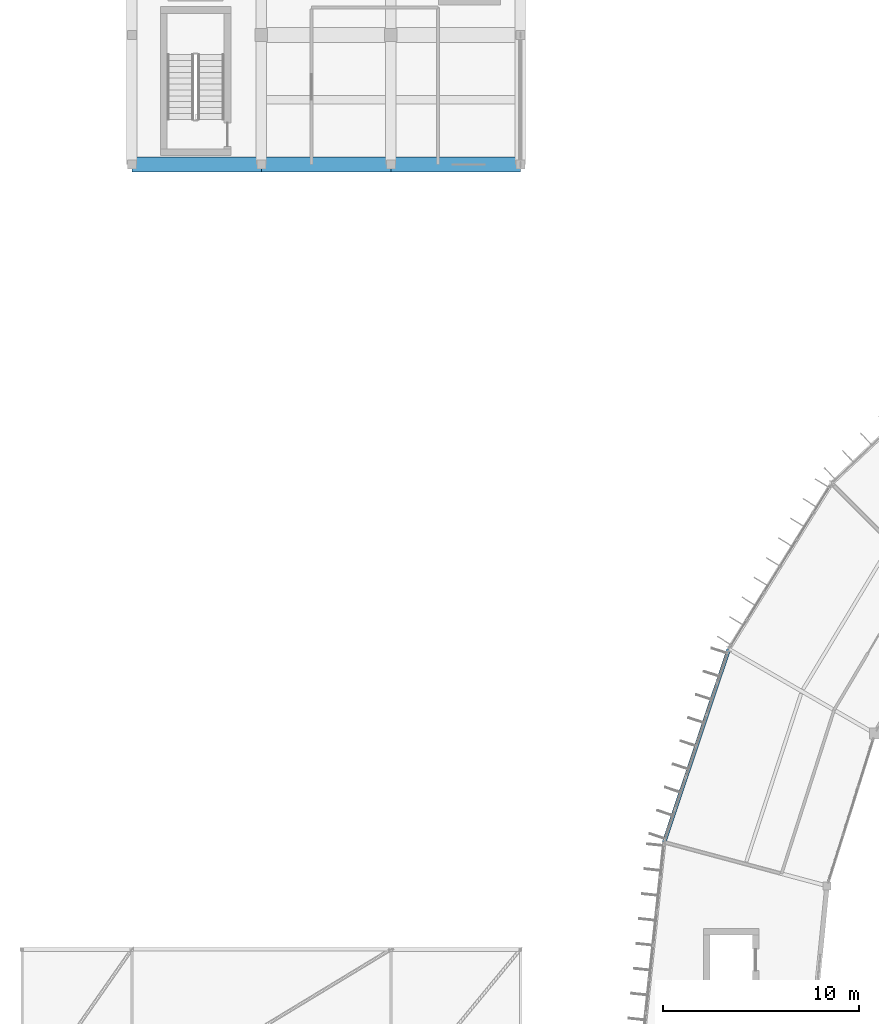
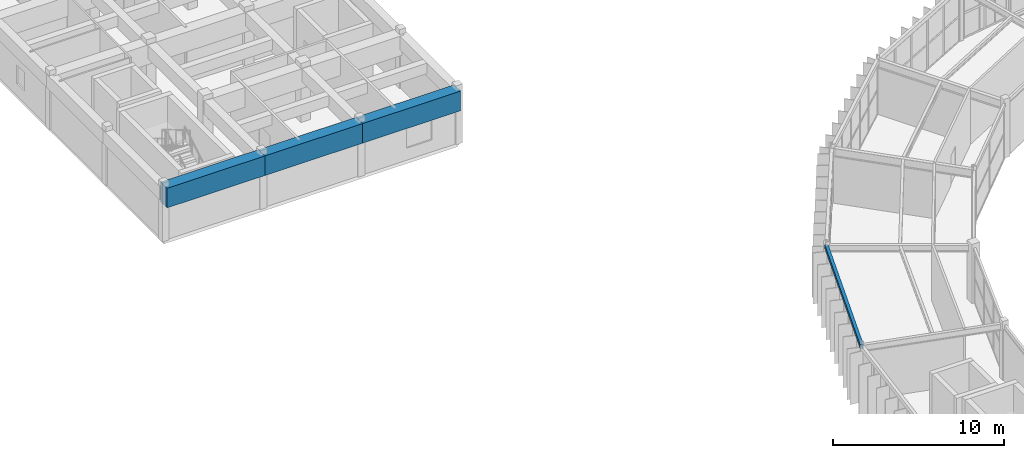
# One storey, part 65 of 134: 4 beams.
"""IFC4 building model written with IfcOpenShell, lengths in metres."""

from ifc_helpers import new_model, si_unit, direction, frame, origin, origin_2d, place, context, subcontext, project, spatial, rectangle, hollow_rectangle, extrude, material, material_profile, profile_set, type_object, element, save


model = new_model("IFC4")

# Units and contexts
model_context = context("Model", 3, precision=1e-05, world=origin(), true_north=direction((0.0, 1.0)))
body_context = subcontext(model_context, "Body", "Model", "MODEL_VIEW")
ifc_project = project(units=[si_unit("LENGTHUNIT", "METRE"), si_unit("AREAUNIT", "SQUARE_METRE"), si_unit("VOLUMEUNIT", "CUBIC_METRE"), si_unit("PLANEANGLEUNIT", "RADIAN"), si_unit("MASSUNIT", "GRAM", prefix="KILO")], contexts=[model_context])

# Site, building, storey
site_placement = place(None, origin())
site = spatial("IfcSite", under=ifc_project, at=site_placement, CompositionType="ELEMENT")
building_placement = place(site_placement, origin())
building = spatial("IfcBuilding", under=site, at=building_placement, Name="Karori Crest Natural Sciences Institute", CompositionType="ELEMENT")
storey_placement = place(building_placement, frame((0.0, 0.0, 21.699951171875)))
storey = spatial("IfcBuildingStorey", under=building, at=storey_placement, Name="L05", CompositionType="ELEMENT", Elevation=21.699951171875)

# Beams
ifc_material_1 = material(Name="Hollow structural steel AS/NZS 1163 Grade C350", Category="steel")
ifc_material_profile_1 = material_profile(ifc_material_1, hollow_rectangle(XDim=0.199951171875, YDim=0.300048828125, WallThickness=0.010009765625, at=origin_2d()), Name="RHS300x200x10")
ifc_profile_set_1 = profile_set([ifc_material_profile_1], Name="Hollow structural steel AS/NZS 1163 Grade C350")
beam_type_1 = type_object("IfcBeamType", Name="BT-15", PredefinedType="SPANDREL", material=ifc_profile_set_1)
beam_1_placement = place(storey_placement, frame((37.8212890625, 70.300048828125, 3.7900390625), z_axis=(-0.317681238028, -0.948197569605, 0.0), x_axis=(0.948197569605, -0.317681238028, 0.0)))
element("IfcBeam", 1, at=beam_1_placement, inside=storey, type_object=beam_type_1, Name="Beam B-0579", PredefinedType="SPANDREL", context=body_context, shape_type="SweptSolid", body=[
    extrude(hollow_rectangle(XDim=0.199951171875, YDim=0.300048828125, WallThickness=0.010009765625, at=origin_2d()), origin(), (0.0, 0.0, 1.0), 10.3779296875),
])
ifc_material_2 = material(Name="Concrete 50 MPa", Category="concrete")
ifc_material_profile_2 = material_profile(ifc_material_2, rectangle(XDim=0.75, YDim=1.39990234375, at=origin_2d()), Name="RCB750x1400")
ifc_profile_set_2 = profile_set([ifc_material_profile_2], Name="Concrete 50 MPa")
beam_type_2 = type_object("IfcBeamType", Name="BT-17", PredefinedType="BEAM", material=ifc_profile_set_2)
for number, where, z_axis, x_axis, name in (
    (2, (7.39990234375, 95.0, 3.150146484375), (1.0, 0.0, 0.0), (0.0, 1.0, 0.0), "Beam B-1822"),
    (3, (14.0, 95.0, 3.150146484375), (1.0, 0.0, 0.0), (0.0, 1.0, 0.0), "Beam B-1823"),
):
    element("IfcBeam", number, at=place(storey_placement, frame(where, z_axis=z_axis, x_axis=x_axis)), inside=storey, type_object=beam_type_2, Name=name, PredefinedType="BEAM", context=body_context, shape_type="SweptSolid", body=[
        extrude(rectangle(XDim=0.75, YDim=1.39990234375, at=origin_2d()), origin(), (0.0, 0.0, 1.0), 6.60009765625),
    ])
beam_2_placement = place(storey_placement, frame((20.60009765625, 95.0, 3.150146484375), z_axis=(1.0, 0.0, 0.0), x_axis=(0.0, 1.0, 0.0)))
element("IfcBeam", 4, at=beam_2_placement, inside=storey, type_object=beam_type_2, Name="Beam B-1824", PredefinedType="BEAM", context=body_context, shape_type="SweptSolid", body=[
    extrude(rectangle(XDim=0.75, YDim=1.39990234375, at=origin_2d()), origin(), (0.0, 0.0, 1.0), 6.599853515625),
])

save(model, "model.ifc")
